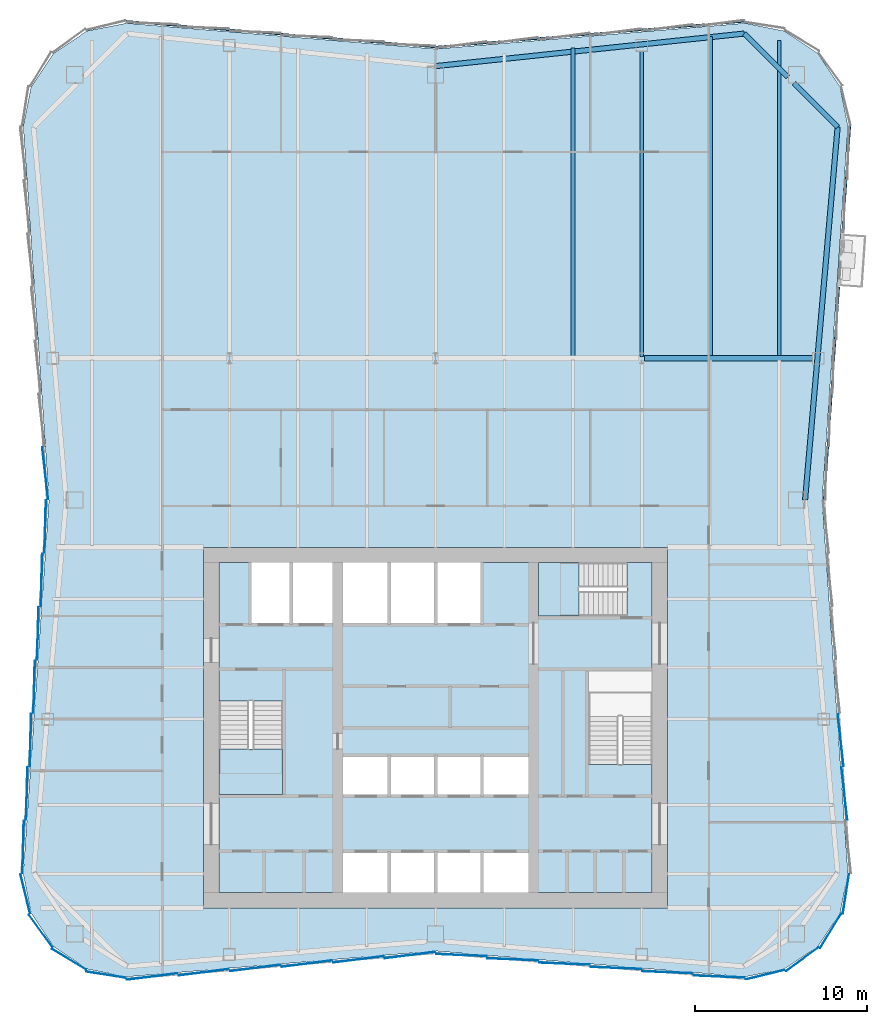
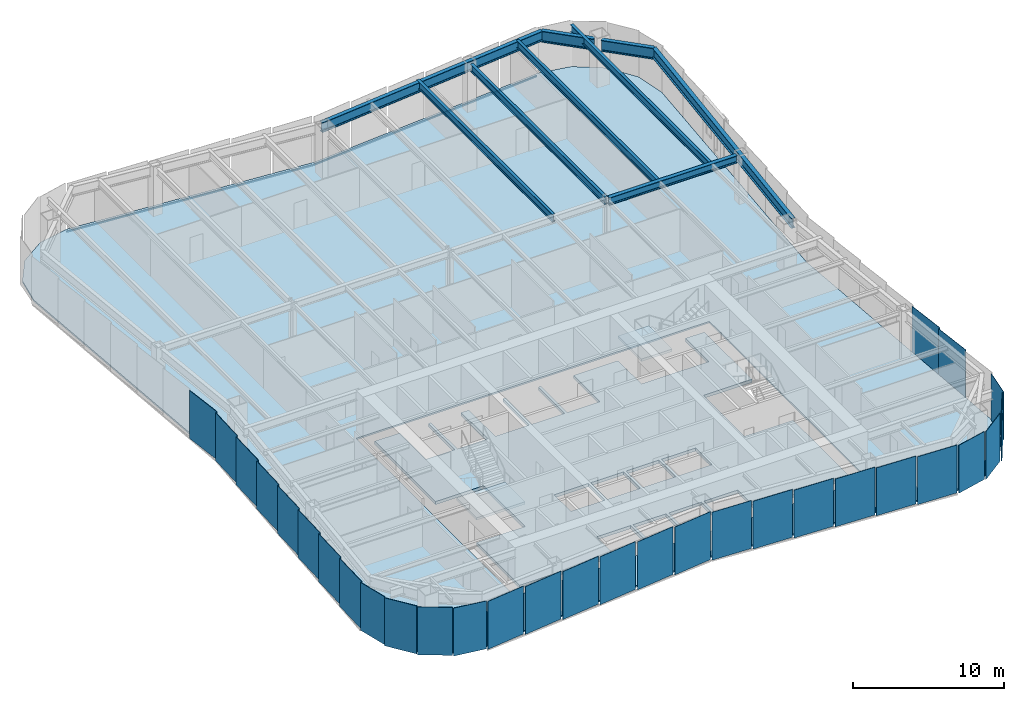
# One storey, part 3 of 10: 30 plates, 9 beams, 4 members, 4 slabs, 8 elements without a shape of their own.
"""IFC4 building model written with IfcOpenShell, lengths in metres."""

from ifc_helpers import new_model, si_unit, direction, frame, origin, origin_2d, place, context, subcontext, project, spatial, polyline, rectangle, i_section, outline, extrude, material, layer, layer_set, material_profile, profile_set, type_object, element, aggregate, save


model = new_model("IFC4")

# Units and contexts
model_context = context("Model", 3, precision=1e-05, world=origin(), true_north=direction((0.0, 1.0)))
body_context = subcontext(model_context, "Body", "Model", "MODEL_VIEW")
ifc_project = project(units=[si_unit("LENGTHUNIT", "METRE"), si_unit("AREAUNIT", "SQUARE_METRE"), si_unit("VOLUMEUNIT", "CUBIC_METRE"), si_unit("PLANEANGLEUNIT", "RADIAN"), si_unit("MASSUNIT", "GRAM", prefix="KILO")], contexts=[model_context])

# Site, building, storey
site_placement = place(None, origin())
site = spatial("IfcSite", under=ifc_project, at=site_placement, CompositionType="ELEMENT")
building_placement = place(site_placement, origin())
building = spatial("IfcBuilding", under=site, at=building_placement, Name="Verdant Reach Tower", CompositionType="ELEMENT")
storey_placement = place(building_placement, frame((0.0, 0.0, 198.0)))
storey = spatial("IfcBuildingStorey", under=building, at=storey_placement, Name="L45", CompositionType="ELEMENT", Elevation=198.0)

# Curtain wall, members
ifc_material_1 = material(Name="Anodised aluminium", Category="aluminium")
curtain_wall_type = type_object("IfcCurtainWallType", Name="EN-CW SYSTEM Z3", PredefinedType="NOTDEFINED", material=ifc_material_1)
curtain_wall_1_placement = place(storey_placement, origin())
curtain_wall_1 = element("IfcCurtainWall", 1, at=curtain_wall_1_placement, inside=storey, type_object=curtain_wall_type, Name="Curtain wall east, L45", PredefinedType="NOTDEFINED")
ifc_material_profile_1 = material_profile(ifc_material_1, rectangle(XDim=0.10009765625, YDim=0.1259765625, at=origin_2d()), Name="Transom 126x100")
ifc_profile_set_1 = profile_set([ifc_material_profile_1], Name="Anodised aluminium")
member_type = type_object("IfcMemberType", Name="EN-TRANSOM Z3", PredefinedType="USERDEFINED", material=ifc_profile_set_1)
member_1_placement = place(storey_placement, frame((22.611328125, 41.282958984375, -0.287109375), z_axis=(0.068819005353, 0.997629161814, 0.0), x_axis=(-0.997629161814, 0.068819005353, 0.0)))
member_1 = element("IfcMember", 2, at=member_1_placement, type_object=member_type, Name="Transom east face part 2 1.1, L45", ObjectType="TRANSOM", PredefinedType="USERDEFINED", context=body_context, shape_type="SweptSolid", body=[
    extrude(rectangle(XDim=0.10009765625, YDim=0.1259765625, at=origin_2d()), origin(), (0.0, 0.0, 1.0), 12.384521484375),
])
member_2_placement = place(storey_placement, frame((23.682373046875, 56.81103515625, -0.287109375), z_axis=(0.068646115672, 0.997641073134, 0.0), x_axis=(-0.997641073134, 0.068646115672, 0.0)))
member_2 = element("IfcMember", 3, at=member_2_placement, type_object=member_type, Name="Transom east face part 2 2.1, L45", ObjectType="TRANSOM", PredefinedType="USERDEFINED", context=body_context, shape_type="SweptSolid", body=[
    extrude(rectangle(XDim=0.10009765625, YDim=0.1259765625, at=origin_2d()), origin(), (0.0, 0.0, 1.0), 6.177734375),
])

curtain_wall_2_placement = place(storey_placement, origin())
curtain_wall_2 = element("IfcCurtainWall", 4, at=curtain_wall_2_placement, inside=storey, type_object=curtain_wall_type, Name="Curtain wall north, L45", PredefinedType="NOTDEFINED")
member_3_placement = place(storey_placement, frame((17.973388671875, 69.106201171875, -0.287109375), z_axis=(-0.996548750467, -0.083009565369, 0.0), x_axis=(0.083009565369, -0.996548750467, 0.0)))
member_3 = element("IfcMember", 5, at=member_3_placement, type_object=member_type, Name="Transom north face part 1 1.1, L45", ObjectType="TRANSOM", PredefinedType="USERDEFINED", context=body_context, shape_type="SweptSolid", body=[
    extrude(rectangle(XDim=0.10009765625, YDim=0.1259765625, at=origin_2d()), origin(), (0.0, 0.0, 1.0), 18.00244140625),
])
member_4_placement = place(storey_placement, frame((-0.032958984375, 67.61181640625, -0.287109375), z_axis=(-0.996548750467, 0.083009565369, 0.0), x_axis=(-0.083009565369, -0.996548750467, 0.0)))
member_4 = element("IfcMember", 6, at=member_4_placement, type_object=member_type, Name="Transom north face part 2 1.1, L45", ObjectType="TRANSOM", PredefinedType="USERDEFINED", context=body_context, shape_type="SweptSolid", body=[
    extrude(rectangle(XDim=0.10009765625, YDim=0.1259765625, at=origin_2d()), origin(), (0.0, 0.0, 1.0), 18.00244140625),
])
aggregate(curtain_wall_2, [member_3, member_4])

# Beams
ifc_material_2 = material(Name="Steel S355", Category="steel")
ifc_material_profile_2 = material_profile(ifc_material_2, i_section(OverallWidth=0.300048828125, OverallDepth=0.60009765625, WebThickness=0.015380859375, FlangeThickness=0.030029296875, FilletRadius=0.027099609375, at=origin_2d()), Name="HEB 600")
ifc_profile_set_2 = profile_set([ifc_material_profile_2], Name="Steel S355")
beam_type_1 = type_object("IfcBeamType", Name="ST-BEAM-HEB600", PredefinedType="BEAM", material=ifc_profile_set_2)
beam_1_placement = place(storey_placement, frame((12.152587890625, 49.5, 3.570068359375), z_axis=(1.0, 0.0, 0.0), x_axis=(0.0, 1.0, 0.0)))
element("IfcBeam", 7, at=beam_1_placement, inside=storey, type_object=beam_type_1, Name="Row girder, L45", PredefinedType="BEAM", context=body_context, shape_type="SweptSolid", body=[
    extrude(i_section(OverallWidth=0.300048828125, OverallDepth=0.60009765625, WebThickness=0.015380859375, FlangeThickness=0.030029296875, FilletRadius=0.027099609375, at=origin_2d()), origin(), (0.0, 0.0, 1.0), 9.766357421875),
])
ifc_material_profile_3 = material_profile(ifc_material_2, i_section(OverallWidth=0.219970703125, OverallDepth=0.60009765625, WebThickness=0.011962890625, FlangeThickness=0.01904296875, FilletRadius=0.02392578125, at=origin_2d()), Name="IPE 600")
ifc_profile_set_3 = profile_set([ifc_material_profile_3], Name="Steel S355")
beam_type_2 = type_object("IfcBeamType", Name="ST-JOIST-IPE600", PredefinedType="JOIST", material=ifc_profile_set_3)
beam_2_placement = place(storey_placement, frame((8.0, 49.60009765625, 3.570068359375), z_axis=(0.0, 1.0, 0.0), x_axis=(-1.0, 0.0, 0.0)))
element("IfcBeam", 8, at=beam_2_placement, inside=storey, type_object=beam_type_2, Name="Floor joist, L45", PredefinedType="JOIST", context=body_context, shape_type="SweptSolid", body=[
    extrude(i_section(OverallWidth=0.219970703125, OverallDepth=0.60009765625, WebThickness=0.011962890625, FlangeThickness=0.01904296875, FilletRadius=0.02392578125, at=origin_2d()), origin(), (0.0, 0.0, 1.0), 17.964599609375),
])
beam_3_placement = place(storey_placement, frame((12.0, 49.60009765625, 3.570068359375), z_axis=(0.0, 1.0, 0.0), x_axis=(-1.0, 0.0, 0.0)))
element("IfcBeam", 9, at=beam_3_placement, inside=storey, type_object=beam_type_2, Name="Floor joist, L45", PredefinedType="JOIST", context=body_context, shape_type="SweptSolid", body=[
    extrude(i_section(OverallWidth=0.219970703125, OverallDepth=0.60009765625, WebThickness=0.011962890625, FlangeThickness=0.01904296875, FilletRadius=0.02392578125, at=origin_2d()), origin(), (0.0, 0.0, 1.0), 17.75),
])
beam_4_placement = place(storey_placement, frame((16.0, 49.60009765625, 3.570068359375), z_axis=(0.0, 1.0, 0.0), x_axis=(-1.0, 0.0, 0.0)))
element("IfcBeam", 10, at=beam_4_placement, inside=storey, type_object=beam_type_2, Name="Floor joist, L45", PredefinedType="JOIST", context=body_context, shape_type="SweptSolid", body=[
    extrude(i_section(OverallWidth=0.219970703125, OverallDepth=0.60009765625, WebThickness=0.011962890625, FlangeThickness=0.01904296875, FilletRadius=0.02392578125, at=origin_2d()), origin(), (0.0, 0.0, 1.0), 18.631103515625),
])
beam_5_placement = place(storey_placement, frame((20.0, 49.60009765625, 3.570068359375), z_axis=(0.0, 1.0, 0.0), x_axis=(-1.0, 0.0, 0.0)))
element("IfcBeam", 11, at=beam_5_placement, inside=storey, type_object=beam_type_2, Name="Floor joist, L45", PredefinedType="JOIST", context=body_context, shape_type="SweptSolid", body=[
    extrude(i_section(OverallWidth=0.219970703125, OverallDepth=0.60009765625, WebThickness=0.011962890625, FlangeThickness=0.01904296875, FilletRadius=0.02392578125, at=origin_2d()), origin(), (0.0, 0.0, 1.0), 18.390380859375),
])
ifc_material_profile_4 = material_profile(ifc_material_2, i_section(OverallWidth=0.300048828125, OverallDepth=0.800048828125, WebThickness=0.017578125, FlangeThickness=0.032958984375, FilletRadius=0.030029296875, at=origin_2d()), Name="HEB 800")
ifc_profile_set_4 = profile_set([ifc_material_profile_4], Name="Steel S355")
beam_type_3 = type_object("IfcBeamType", Name="ST-SPANDREL-HEB800", PredefinedType="SPANDREL", material=ifc_profile_set_4)
beam_6_placement = place(storey_placement, frame((0.0, 66.5, 3.469970703125), z_axis=(0.994483067002, 0.104897232783, 0.0), x_axis=(-0.104897232783, 0.994483067002, 0.0)))
element("IfcBeam", 12, at=beam_6_placement, inside=storey, type_object=beam_type_3, Name="Edge beam, L45", PredefinedType="SPANDREL", context=body_context, shape_type="SweptSolid", body=[
    extrude(i_section(OverallWidth=0.300048828125, OverallDepth=0.800048828125, WebThickness=0.017578125, FlangeThickness=0.032958984375, FilletRadius=0.030029296875, at=origin_2d()), origin(), (0.0, 0.0, 1.0), 18.0654296875),
])
beam_7_placement = place(storey_placement, frame((23.39599609375, 62.96142578125, 3.469970703125), z_axis=(-0.086996024331, -0.996208658741, 0.0), x_axis=(0.996208658741, -0.086996024331, 0.0)))
element("IfcBeam", 13, at=beam_7_placement, inside=storey, type_object=beam_type_3, Name="Edge beam, L45", PredefinedType="SPANDREL", context=body_context, shape_type="SweptSolid", body=[
    extrude(i_section(OverallWidth=0.300048828125, OverallDepth=0.800048828125, WebThickness=0.017578125, FlangeThickness=0.032958984375, FilletRadius=0.030029296875, at=origin_2d()), origin(), (0.0, 0.0, 1.0), 21.7939453125),
])
ifc_material_profile_5 = material_profile(ifc_material_2, i_section(OverallWidth=0.302001953125, OverallDepth=0.909912109375, WebThickness=0.02099609375, FlangeThickness=0.0400390625, FilletRadius=0.030029296875, at=origin_2d()), Name="HEM 900")
ifc_profile_set_5 = profile_set([ifc_material_profile_5], Name="Steel S355")
beam_type_4 = type_object("IfcBeamType", Name="ST-SPANDREL-HEM900", PredefinedType="SPANDREL", material=ifc_profile_set_5)
beam_8_placement = place(storey_placement, frame((17.9658203125, 68.39501953125, 3.4150390625), z_axis=(0.706868394255, -0.707345087777, 0.0), x_axis=(0.707345087777, 0.706868394255, 0.0)))
element("IfcBeam", 14, at=beam_8_placement, inside=storey, type_object=beam_type_4, Name="Edge beam, L45", PredefinedType="SPANDREL", context=body_context, shape_type="SweptSolid", body=[
    extrude(i_section(OverallWidth=0.302001953125, OverallDepth=0.909912109375, WebThickness=0.02099609375, FlangeThickness=0.0400390625, FilletRadius=0.030029296875, at=origin_2d()), origin(), (0.0, 0.0, 1.0), 3.5849609375),
])
beam_9_placement = place(storey_placement, frame((20.85888671875, 65.5, 3.4150390625), z_axis=(0.706902680526, -0.707310822952, 0.0), x_axis=(0.707310822952, 0.706902680526, 0.0)))
element("IfcBeam", 15, at=beam_9_placement, inside=storey, type_object=beam_type_4, Name="Edge beam, L45", PredefinedType="SPANDREL", context=body_context, shape_type="SweptSolid", body=[
    extrude(i_section(OverallWidth=0.302001953125, OverallDepth=0.909912109375, WebThickness=0.02099609375, FlangeThickness=0.0400390625, FilletRadius=0.030029296875, at=origin_2d()), origin(), (0.0, 0.0, 1.0), 3.589111328125),
])

# Stair, slab
ifc_material_3 = material(Name="Concrete C40/50", Category="concrete")
stair_type = type_object("IfcStairType", Name="CO-STAIR", PredefinedType="HALF_TURN_STAIR", material=ifc_material_3)
stair_1_placement = place(storey_placement, origin())
stair_1 = element("IfcStair", 16, at=stair_1_placement, inside=storey, type_object=stair_type, Name="L45 Exit stair 1", PredefinedType="HALF_TURN_STAIR")
ifc_layer_1 = layer(ifc_material_3, 0.199951171875)
ifc_layer_set_1 = layer_set([ifc_layer_1], Name="CO-STAIR-LANDING")
slab_type_1 = type_object("IfcSlabType", Name="CO-STAIR-LANDING", PredefinedType="LANDING", material=ifc_layer_set_1)
slab_1_placement = place(storey_placement, frame((0.0, 0.0, 1.800048828125)))
slab_1 = element("IfcSlab", 17, at=slab_1_placement, type_object=slab_type_1, Name="ST-1 landing 1", PredefinedType="LANDING", context=body_context, shape_type="SweptSolid", body=[
    extrude(outline(polyline([(-12.60009765625, 26.75), (-12.60009765625, 24.10009765625), (-8.89990234375, 24.10009765625), (-8.89990234375, 26.75), (-12.60009765625, 26.75)])), origin(), (0.0, 0.0, 1.0), 0.199951171875),
])
aggregate(stair_1, [slab_1])

stair_2_placement = place(storey_placement, origin())
stair_2 = element("IfcStair", 18, at=stair_2_placement, inside=storey, type_object=stair_type, Name="L45 Exit stair 3", PredefinedType="HALF_TURN_STAIR")
slab_2_placement = place(storey_placement, frame((0.0, 0.0, 1.800048828125)))
slab_2 = element("IfcSlab", 19, at=slab_2_placement, type_object=slab_type_1, Name="ST-3 landing 1", PredefinedType="LANDING", context=body_context, shape_type="SweptSolid", body=[
    extrude(outline(polyline([(8.35009765625, 37.60009765625), (6.0, 37.60009765625), (6.0, 34.5), (8.35009765625, 34.5), (8.35009765625, 37.60009765625)])), origin(), (0.0, 0.0, 1.0), 0.199951171875),
])
aggregate(stair_2, [slab_2])

# Curtain wall, plates
curtain_wall_3_placement = place(storey_placement, origin())
curtain_wall_3 = element("IfcCurtainWall", 20, at=curtain_wall_3_placement, inside=storey, type_object=curtain_wall_type, Name="Curtain wall south-east corner, L45", PredefinedType="NOTDEFINED")
ifc_material_4 = material(Name="Tinted glass with champagne spandrel", Category="glass")
ifc_layer_2 = layer(ifc_material_4, 0.031982421875)
ifc_layer_set_2 = layer_set([ifc_layer_2], Name="EN-PANEL CHAMPAGNE")
plate_type_1 = type_object("IfcPlateType", Name="EN-PANEL CHAMPAGNE", PredefinedType="CURTAIN_PANEL", material=ifc_layer_set_2)
plate_1_placement = place(storey_placement, frame((19.171875, 13.62353515625, -0.22412109375), z_axis=(0.0, 0.0, 1.0), x_axis=(0.971655117833, 0.236402901821, 0.0)))
plate_1 = element("IfcPlate", 21, at=plate_1_placement, type_object=plate_type_1, Name="Glass panel south-east corner 1.1, L45", PredefinedType="CURTAIN_PANEL", context=body_context, shape_type="SweptSolid", body=[
    extrude(rectangle(XDim=2.3154296875, YDim=0.031982421875, at=origin_2d()), origin(), (0.0, 0.0, 1.0), 3.8740234375),
])
plate_2_placement = place(storey_placement, frame((21.328857421875, 14.51806640625, -0.22412109375), z_axis=(0.0, 0.0, 1.0), x_axis=(0.807456768214, 0.589926747542, 0.0)))
plate_2 = element("IfcPlate", 22, at=plate_2_placement, type_object=plate_type_1, Name="Glass panel south-east corner 2.1, L45", PredefinedType="CURTAIN_PANEL", context=body_context, shape_type="SweptSolid", body=[
    extrude(rectangle(XDim=2.321533203125, YDim=0.031982421875, at=origin_2d()), origin(), (0.0, 0.0, 1.0), 3.8740234375),
])

curtain_wall_4_placement = place(storey_placement, origin())
curtain_wall_4 = element("IfcCurtainWall", 23, at=curtain_wall_4_placement, inside=storey, type_object=curtain_wall_type, Name="Curtain wall west, L45", PredefinedType="NOTDEFINED")
plate_3_placement = place(storey_placement, frame((-23.358642578125, 30.382568359375, -0.22412109375), z_axis=(0.0, 0.0, 1.0), x_axis=(-0.026965318308, -0.999636369691, 0.0)))
plate_3 = element("IfcPlate", 24, at=plate_3_placement, type_object=plate_type_1, Name="Glass panel west face part 2 4.1, L45", PredefinedType="CURTAIN_PANEL", context=body_context, shape_type="SweptSolid", body=[
    extrude(rectangle(XDim=3.052490234375, YDim=0.031982421875, at=origin_2d()), origin(), (0.0, 0.0, 1.0), 3.8740234375),
])
plate_4_placement = place(storey_placement, frame((-23.572998046875, 27.275390625, -0.22412109375), z_axis=(0.0, 0.0, 1.0), x_axis=(-0.026965318308, -0.999636369691, 0.0)))
plate_4 = element("IfcPlate", 25, at=plate_4_placement, type_object=plate_type_1, Name="Glass panel west face part 2 5.1, L45", PredefinedType="CURTAIN_PANEL", context=body_context, shape_type="SweptSolid", body=[
    extrude(rectangle(XDim=3.052490234375, YDim=0.031982421875, at=origin_2d()), origin(), (0.0, 0.0, 1.0), 3.8740234375),
])

curtain_wall_5_placement = place(storey_placement, origin())
curtain_wall_5 = element("IfcCurtainWall", 26, at=curtain_wall_5_placement, inside=storey, type_object=curtain_wall_type, Name="Curtain wall south-west corner, L45", PredefinedType="NOTDEFINED")
plate_5_placement = place(storey_placement, frame((-22.98193359375, 16.171142578125, -0.22412109375), z_axis=(0.0, 0.0, 1.0), x_axis=(0.589926747542, -0.807456768214, 0.0)))
plate_5 = element("IfcPlate", 27, at=plate_5_placement, type_object=plate_type_1, Name="Glass panel south-west corner 2.1, L45", PredefinedType="CURTAIN_PANEL", context=body_context, shape_type="SweptSolid", body=[
    extrude(rectangle(XDim=2.321533203125, YDim=0.031982421875, at=origin_2d()), origin(), (0.0, 0.0, 1.0), 3.8740234375),
])
plate_6_placement = place(storey_placement, frame((-21.328857421875, 14.51806640625, -0.22412109375), z_axis=(0.0, 0.0, 1.0), x_axis=(0.853988701636, -0.520291550457, 0.0)))
plate_6 = element("IfcPlate", 28, at=plate_6_placement, type_object=plate_type_1, Name="Glass panel south-west corner 3.1, L45", PredefinedType="CURTAIN_PANEL", context=body_context, shape_type="SweptSolid", body=[
    extrude(rectangle(XDim=2.321533203125, YDim=0.031982421875, at=origin_2d()), origin(), (0.0, 0.0, 1.0), 3.8740234375),
])
plate_7_placement = place(storey_placement, frame((-19.171875, 13.62353515625, -0.22412109375), z_axis=(0.0, 0.0, 1.0), x_axis=(0.988029071555, -0.154267798848, 0.0)))
plate_7 = element("IfcPlate", 29, at=plate_7_placement, type_object=plate_type_1, Name="Glass panel south-west corner 4.1, L45", PredefinedType="CURTAIN_PANEL", context=body_context, shape_type="SweptSolid", body=[
    extrude(rectangle(XDim=2.3154296875, YDim=0.031982421875, at=origin_2d()), origin(), (0.0, 0.0, 1.0), 3.8740234375),
])

curtain_wall_6_placement = place(storey_placement, origin())
curtain_wall_6 = element("IfcCurtainWall", 30, at=curtain_wall_6_placement, inside=storey, type_object=curtain_wall_type, Name="Curtain wall south, L45", PredefinedType="NOTDEFINED")
plate_8_placement = place(storey_placement, frame((-16.49853515625, 13.516357421875, -0.22412109375), z_axis=(0.0, 0.0, 1.0), x_axis=(0.992237766434, 0.124355196363, 0.0)))
plate_8 = element("IfcPlate", 31, at=plate_8_placement, type_object=plate_type_1, Name="Glass panel south face part 1 1.1, L45", PredefinedType="CURTAIN_PANEL", context=body_context, shape_type="SweptSolid", body=[
    extrude(rectangle(XDim=2.963623046875, YDim=0.031982421875, at=origin_2d()), origin(), (0.0, 0.0, 1.0), 3.8740234375),
])
plate_9_placement = place(storey_placement, frame((-13.490966796875, 13.766357421875, -0.22412109375), z_axis=(0.0, 0.0, 1.0), x_axis=(0.992194034542, 0.124703639961, 0.0)))
plate_9 = element("IfcPlate", 32, at=plate_9_placement, type_object=plate_type_1, Name="Glass panel south face part 1 2.1, L45", PredefinedType="CURTAIN_PANEL", context=body_context, shape_type="SweptSolid", body=[
    extrude(rectangle(XDim=2.948486328125, YDim=0.031982421875, at=origin_2d()), origin(), (0.0, 0.0, 1.0), 3.8740234375),
])
plate_10_placement = place(storey_placement, frame((4.490966796875, 14.516357421875, -0.22412109375), z_axis=(0.0, 0.0, 1.0), x_axis=(0.999149202059, -0.041241629766, 0.0)))
plate_10 = element("IfcPlate", 33, at=plate_10_placement, type_object=plate_type_1, Name="Glass panel south face part 2 2.1, L45", PredefinedType="CURTAIN_PANEL", context=body_context, shape_type="SweptSolid", body=[
    extrude(rectangle(XDim=2.948486328125, YDim=0.031982421875, at=origin_2d()), origin(), (0.0, 0.0, 1.0), 3.8740234375),
])
plate_11_placement = place(storey_placement, frame((7.490966796875, 14.266357421875, -0.22412109375), z_axis=(0.0, 0.0, 1.0), x_axis=(0.999149202059, -0.041241629766, 0.0)))
plate_11 = element("IfcPlate", 34, at=plate_11_placement, type_object=plate_type_1, Name="Glass panel south face part 2 3.1, L45", PredefinedType="CURTAIN_PANEL", context=body_context, shape_type="SweptSolid", body=[
    extrude(rectangle(XDim=2.948486328125, YDim=0.031982421875, at=origin_2d()), origin(), (0.0, 0.0, 1.0), 3.8740234375),
])

# Plate
ifc_material_5 = material(Name="Tinted glass with copper spandrel", Category="glass")
ifc_layer_3 = layer(ifc_material_5, 0.031982421875)
ifc_layer_set_3 = layer_set([ifc_layer_3], Name="EN-PANEL COPPER")
plate_type_2 = type_object("IfcPlateType", Name="EN-PANEL COPPER", PredefinedType="CURTAIN_PANEL", material=ifc_layer_set_3)
plate_12_placement = place(storey_placement, frame((22.98193359375, 16.171142578125, -0.22412109375), z_axis=(0.0, 0.0, 1.0), x_axis=(0.520291550457, 0.853988701636, 0.0)))
plate_12 = element("IfcPlate", 35, at=plate_12_placement, type_object=plate_type_2, Name="Glass panel south-east corner 3.1, L45", PredefinedType="CURTAIN_PANEL", context=body_context, shape_type="SweptSolid", body=[
    extrude(rectangle(XDim=2.321533203125, YDim=0.031982421875, at=origin_2d()), origin(), (0.0, 0.0, 1.0), 3.8740234375),
])

plate_13_placement = place(storey_placement, frame((23.87646484375, 18.32763671875, -0.22412109375), z_axis=(0.0, 0.0, 1.0), x_axis=(0.154311870796, 0.988022189291, 0.0)))
plate_13 = element("IfcPlate", 36, at=plate_13_placement, type_object=plate_type_2, Name="Glass panel south-east corner 4.1, L45", PredefinedType="CURTAIN_PANEL", context=body_context, shape_type="SweptSolid", body=[
    extrude(rectangle(XDim=2.314697265625, YDim=0.031982421875, at=origin_2d()), origin(), (0.0, 0.0, 1.0), 3.8740234375),
])

aggregate(curtain_wall_3, [plate_1, plate_2, plate_12, plate_13])

plate_14_placement = place(storey_placement, frame((23.787353515625, 24.168212890625, -0.22412109375), z_axis=(0.0, 0.0, 1.0), x_axis=(-0.110518162674, 0.993874104562, 0.0)))
plate_14 = element("IfcPlate", 37, at=plate_14_placement, type_object=plate_type_2, Name="Glass panel east face part 1 2.1, L45", PredefinedType="CURTAIN_PANEL", context=body_context, shape_type="SweptSolid", body=[
    extrude(rectangle(XDim=3.052490234375, YDim=0.031982421875, at=origin_2d()), origin(), (0.0, 0.0, 1.0), 3.8740234375),
])

plate_15_placement = place(storey_placement, frame((-23.787353515625, 24.168212890625, -0.22412109375), z_axis=(0.0, 0.0, 1.0), x_axis=(-0.026965318308, -0.999636369691, 0.0)))
plate_15 = element("IfcPlate", 38, at=plate_15_placement, type_object=plate_type_2, Name="Glass panel west face part 2 6.1, L45", PredefinedType="CURTAIN_PANEL", context=body_context, shape_type="SweptSolid", body=[
    extrude(rectangle(XDim=3.052490234375, YDim=0.031982421875, at=origin_2d()), origin(), (0.0, 0.0, 1.0), 3.8740234375),
])

plate_16_placement = place(storey_placement, frame((-24.001708984375, 21.053955078125, -0.22412109375), z_axis=(0.0, 0.0, 1.0), x_axis=(-0.026659626966, -0.999644568979, 0.0)))
plate_16 = element("IfcPlate", 39, at=plate_16_placement, type_object=plate_type_2, Name="Glass panel west face part 2 7.1, L45", PredefinedType="CURTAIN_PANEL", context=body_context, shape_type="SweptSolid", body=[
    extrude(rectangle(XDim=3.06689453125, YDim=0.031982421875, at=origin_2d()), origin(), (0.0, 0.0, 1.0), 3.8740234375),
])

plate_17_placement = place(storey_placement, frame((-10.490966796875, 14.016357421875, -0.22412109375), z_axis=(0.0, 0.0, 1.0), x_axis=(0.992194034542, 0.124703639961, 0.0)))
plate_17 = element("IfcPlate", 40, at=plate_17_placement, type_object=plate_type_2, Name="Glass panel south face part 1 3.1, L45", PredefinedType="CURTAIN_PANEL", context=body_context, shape_type="SweptSolid", body=[
    extrude(rectangle(XDim=2.948486328125, YDim=0.031982421875, at=origin_2d()), origin(), (0.0, 0.0, 1.0), 3.8740234375),
])

plate_18_placement = place(storey_placement, frame((-7.490966796875, 14.266357421875, -0.22412109375), z_axis=(0.0, 0.0, 1.0), x_axis=(0.992194034542, 0.124703639961, 0.0)))
plate_18 = element("IfcPlate", 41, at=plate_18_placement, type_object=plate_type_2, Name="Glass panel south face part 1 4.1, L45", PredefinedType="CURTAIN_PANEL", context=body_context, shape_type="SweptSolid", body=[
    extrude(rectangle(XDim=2.948486328125, YDim=0.031982421875, at=origin_2d()), origin(), (0.0, 0.0, 1.0), 3.8740234375),
])

plate_19_placement = place(storey_placement, frame((10.490966796875, 14.016357421875, -0.22412109375), z_axis=(0.0, 0.0, 1.0), x_axis=(0.999149202059, -0.041241629766, 0.0)))
plate_19 = element("IfcPlate", 42, at=plate_19_placement, type_object=plate_type_2, Name="Glass panel south face part 2 4.1, L45", PredefinedType="CURTAIN_PANEL", context=body_context, shape_type="SweptSolid", body=[
    extrude(rectangle(XDim=2.948486328125, YDim=0.031982421875, at=origin_2d()), origin(), (0.0, 0.0, 1.0), 3.8740234375),
])

plate_20_placement = place(storey_placement, frame((13.490966796875, 13.766357421875, -0.22412109375), z_axis=(0.0, 0.0, 1.0), x_axis=(0.999149202059, -0.041241629766, 0.0)))
plate_20 = element("IfcPlate", 43, at=plate_20_placement, type_object=plate_type_2, Name="Glass panel south face part 2 5.1, L45", PredefinedType="CURTAIN_PANEL", context=body_context, shape_type="SweptSolid", body=[
    extrude(rectangle(XDim=2.948486328125, YDim=0.031982421875, at=origin_2d()), origin(), (0.0, 0.0, 1.0), 3.8740234375),
])

plate_21_placement = place(storey_placement, frame((16.49853515625, 13.516357421875, -0.22412109375), z_axis=(0.0, 0.0, 1.0), x_axis=(0.999163623568, -0.040890748818, 0.0)))
plate_21 = element("IfcPlate", 44, at=plate_21_placement, type_object=plate_type_2, Name="Glass panel south face part 2 6.1, L45", PredefinedType="CURTAIN_PANEL", context=body_context, shape_type="SweptSolid", body=[
    extrude(rectangle(XDim=2.963623046875, YDim=0.031982421875, at=origin_2d()), origin(), (0.0, 0.0, 1.0), 3.8740234375),
])

ifc_material_6 = material(Name="Tinted glass with dark bronze spandrel", Category="glass")
ifc_layer_4 = layer(ifc_material_6, 0.031982421875)
ifc_layer_set_4 = layer_set([ifc_layer_4], Name="EN-PANEL DARK")
plate_type_3 = type_object("IfcPlateType", Name="EN-PANEL DARK", PredefinedType="CURTAIN_PANEL", material=ifc_layer_set_4)
plate_22_placement = place(storey_placement, frame((23.572998046875, 27.275390625, -0.22412109375), z_axis=(0.0, 0.0, 1.0), x_axis=(-0.110518162674, 0.993874104562, 0.0)))
plate_22 = element("IfcPlate", 45, at=plate_22_placement, type_object=plate_type_3, Name="Glass panel east face part 1 3.1, L45", PredefinedType="CURTAIN_PANEL", context=body_context, shape_type="SweptSolid", body=[
    extrude(rectangle(XDim=3.052490234375, YDim=0.031982421875, at=origin_2d()), origin(), (0.0, 0.0, 1.0), 3.8740234375),
])

aggregate(curtain_wall_1, [plate_14, plate_22, member_1, member_2])

plate_23_placement = place(storey_placement, frame((-22.716064453125, 42.7998046875, -0.22412109375), z_axis=(0.0, 0.0, 1.0), x_axis=(0.110600785385, -0.993864913493, 0.0)))
plate_23 = element("IfcPlate", 46, at=plate_23_placement, type_object=plate_type_3, Name="Glass panel west face part 1 7.1, L45", PredefinedType="CURTAIN_PANEL", context=body_context, shape_type="SweptSolid", body=[
    extrude(rectangle(XDim=3.044921875, YDim=0.031982421875, at=origin_2d()), origin(), (0.0, 0.0, 1.0), 3.8740234375),
])

plate_24_placement = place(storey_placement, frame((-22.716064453125, 39.7001953125, -0.22412109375), z_axis=(0.0, 0.0, 1.0), x_axis=(-0.027048420339, -0.999634124546, 0.0)))
plate_24 = element("IfcPlate", 47, at=plate_24_placement, type_object=plate_type_3, Name="Glass panel west face part 2 1.1, L45", PredefinedType="CURTAIN_PANEL", context=body_context, shape_type="SweptSolid", body=[
    extrude(rectangle(XDim=3.044921875, YDim=0.031982421875, at=origin_2d()), origin(), (0.0, 0.0, 1.0), 3.8740234375),
])

plate_25_placement = place(storey_placement, frame((-22.93017578125, 36.5966796875, -0.22412109375), z_axis=(0.0, 0.0, 1.0), x_axis=(-0.026965318308, -0.999636369691, 0.0)))
plate_25 = element("IfcPlate", 48, at=plate_25_placement, type_object=plate_type_3, Name="Glass panel west face part 2 2.1, L45", PredefinedType="CURTAIN_PANEL", context=body_context, shape_type="SweptSolid", body=[
    extrude(rectangle(XDim=3.052490234375, YDim=0.031982421875, at=origin_2d()), origin(), (0.0, 0.0, 1.0), 3.8740234375),
])

plate_26_placement = place(storey_placement, frame((-23.14453125, 33.48974609375, -0.22412109375), z_axis=(0.0, 0.0, 1.0), x_axis=(-0.026965318308, -0.999636369691, 0.0)))
plate_26 = element("IfcPlate", 49, at=plate_26_placement, type_object=plate_type_3, Name="Glass panel west face part 2 3.1, L45", PredefinedType="CURTAIN_PANEL", context=body_context, shape_type="SweptSolid", body=[
    extrude(rectangle(XDim=3.052490234375, YDim=0.031982421875, at=origin_2d()), origin(), (0.0, 0.0, 1.0), 3.8740234375),
])

aggregate(curtain_wall_4, [plate_23, plate_24, plate_25, plate_26, plate_3, plate_4, plate_15, plate_16])

plate_27_placement = place(storey_placement, frame((-23.87646484375, 18.32763671875, -0.22412109375), z_axis=(0.0, 0.0, 1.0), x_axis=(0.23644624331, -0.97164457186, 0.0)))
plate_27 = element("IfcPlate", 50, at=plate_27_placement, type_object=plate_type_3, Name="Glass panel south-west corner 1.1, L45", PredefinedType="CURTAIN_PANEL", context=body_context, shape_type="SweptSolid", body=[
    extrude(rectangle(XDim=2.314697265625, YDim=0.031982421875, at=origin_2d()), origin(), (0.0, 0.0, 1.0), 3.8740234375),
])

aggregate(curtain_wall_5, [plate_27, plate_5, plate_6, plate_7])

plate_28_placement = place(storey_placement, frame((-4.490966796875, 14.516357421875, -0.22412109375), z_axis=(0.0, 0.0, 1.0), x_axis=(0.992194034542, 0.124703639961, 0.0)))
plate_28 = element("IfcPlate", 51, at=plate_28_placement, type_object=plate_type_3, Name="Glass panel south face part 1 5.1, L45", PredefinedType="CURTAIN_PANEL", context=body_context, shape_type="SweptSolid", body=[
    extrude(rectangle(XDim=2.948486328125, YDim=0.031982421875, at=origin_2d()), origin(), (0.0, 0.0, 1.0), 3.8740234375),
])

plate_29_placement = place(storey_placement, frame((-1.495361328125, 14.76611328125, -0.22412109375), z_axis=(0.0, 0.0, 1.0), x_axis=(0.992178382939, 0.124828107529, 0.0)))
plate_29 = element("IfcPlate", 52, at=plate_29_placement, type_object=plate_type_3, Name="Glass panel south face part 1 6.1, L45", PredefinedType="CURTAIN_PANEL", context=body_context, shape_type="SweptSolid", body=[
    extrude(rectangle(XDim=2.939453125, YDim=0.031982421875, at=origin_2d()), origin(), (0.0, 0.0, 1.0), 3.8740234375),
])

plate_30_placement = place(storey_placement, frame((1.495361328125, 14.76611328125, -0.22412109375), z_axis=(0.0, 0.0, 1.0), x_axis=(0.999144020525, -0.041366970501, 0.0)))
plate_30 = element("IfcPlate", 53, at=plate_30_placement, type_object=plate_type_3, Name="Glass panel south face part 2 1.1, L45", PredefinedType="CURTAIN_PANEL", context=body_context, shape_type="SweptSolid", body=[
    extrude(rectangle(XDim=2.939453125, YDim=0.031982421875, at=origin_2d()), origin(), (0.0, 0.0, 1.0), 3.8740234375),
])

aggregate(curtain_wall_6, [plate_8, plate_9, plate_17, plate_18, plate_28, plate_29, plate_30, plate_10, plate_11, plate_19, plate_20, plate_21])

# Slabs
ifc_material_7 = material(Name="Concrete C35/45", Category="concrete")
ifc_layer_5 = layer(ifc_material_7, 0.1298828125)
ifc_layer_set_5 = layer_set([ifc_layer_5], Name="ST-SLAB-130")
slab_type_2 = type_object("IfcSlabType", Name="ST-SLAB-130", PredefinedType="FLOOR", material=ifc_layer_set_5)
slab_3_placement = place(storey_placement, frame((0.0, 0.0, -0.1298828125)))
element("IfcSlab", 54, at=slab_3_placement, inside=storey, type_object=slab_type_2, Name="Floor slab L45", PredefinedType="FLOOR", context=body_context, shape_type="SweptSolid", body=[
    extrude(outline(polyline([(0.0, 15.0), (-18.0, 13.5), (-20.296142578125, 13.956787109375), (-22.24267578125, 15.25732421875), (-23.543212890625, 17.203857421875), (-24.0, 19.5), (-22.5, 41.25), (-24.0, 63.0), (-23.543212890625, 65.296142578125), (-22.24267578125, 67.24267578125), (-20.296142578125, 68.543212890625), (-18.0, 69.0), (0.0, 67.5), (18.0, 69.0), (20.296142578125, 68.543212890625), (22.24267578125, 67.24267578125), (23.543212890625, 65.296142578125), (24.0, 63.0), (22.5, 41.25), (24.0, 19.5), (23.543212890625, 17.203857421875), (22.24267578125, 15.25732421875), (20.296142578125, 13.956787109375), (18.0, 13.5), (0.0, 15.0)]), holes=[polyline([(13.5, 38.5), (-13.5, 38.5), (-13.5, 17.5), (13.5, 17.5), (13.5, 38.5)])]), origin(), (0.0, 0.0, 1.0), 0.1298828125),
])
ifc_layer_6 = layer(ifc_material_7, 0.25)
ifc_layer_set_6 = layer_set([ifc_layer_6], Name="ST-SLAB-250")
slab_type_3 = type_object("IfcSlabType", Name="ST-SLAB-250", PredefinedType="FLOOR", material=ifc_layer_set_6)
slab_4_placement = place(storey_placement, frame((0.0, 0.0, -0.25)))
element("IfcSlab", 55, at=slab_4_placement, inside=storey, type_object=slab_type_3, Name="Core floor slab L45", PredefinedType="FLOOR", context=body_context, shape_type="SweptSolid", body=[
    extrude(outline(polyline([(12.60009765625, 18.39990234375), (5.39990234375, 18.39990234375), (5.39990234375, 20.699951171875), (2.800048828125, 20.699951171875), (2.800048828125, 18.39990234375), (2.60009765625, 18.39990234375), (2.60009765625, 20.699951171875), (0.10009765625, 20.699951171875), (0.10009765625, 18.39990234375), (-0.10009765625, 18.39990234375), (-0.10009765625, 20.699951171875), (-2.60009765625, 20.699951171875), (-2.60009765625, 18.39990234375), (-2.800048828125, 18.39990234375), (-2.800048828125, 20.699951171875), (-5.39990234375, 20.699951171875), (-5.39990234375, 18.39990234375), (-12.60009765625, 18.39990234375), (-12.60009765625, 24.10009765625), (-8.89990234375, 24.10009765625), (-8.89990234375, 29.548095703125), (-12.60009765625, 29.548095703125), (-12.60009765625, 37.60009765625), (-10.699951171875, 37.60009765625), (-10.699951171875, 34.10009765625), (-8.5, 34.10009765625), (-8.5, 37.60009765625), (-8.300048828125, 37.60009765625), (-8.300048828125, 34.10009765625), (-6.0, 34.10009765625), (-6.0, 37.60009765625), (-5.39990234375, 37.60009765625), (-5.39990234375, 34.10009765625), (-2.800048828125, 34.10009765625), (-2.800048828125, 37.60009765625), (-2.60009765625, 37.60009765625), (-2.60009765625, 34.10009765625), (-0.10009765625, 34.10009765625), (-0.10009765625, 37.60009765625), (0.10009765625, 37.60009765625), (0.10009765625, 34.10009765625), (2.60009765625, 34.10009765625), (2.60009765625, 37.60009765625), (6.0, 37.60009765625), (6.0, 34.5), (11.14794921875, 34.5), (11.14794921875, 37.60009765625), (12.60009765625, 37.60009765625), (12.60009765625, 31.300048828125), (8.89990234375, 31.300048828125), (8.89990234375, 25.85205078125), (12.60009765625, 25.85205078125), (12.60009765625, 18.39990234375)]), holes=[polyline([(-2.800048828125, 24.10009765625), (-2.800048828125, 26.300048828125), (-5.39990234375, 26.300048828125), (-5.39990234375, 24.10009765625), (-2.800048828125, 24.10009765625)]), polyline([(-0.10009765625, 24.10009765625), (-0.10009765625, 26.300048828125), (-2.60009765625, 26.300048828125), (-2.60009765625, 24.10009765625), (-0.10009765625, 24.10009765625)]), polyline([(2.60009765625, 24.10009765625), (2.60009765625, 26.300048828125), (0.10009765625, 26.300048828125), (0.10009765625, 24.10009765625), (2.60009765625, 24.10009765625)]), polyline([(5.39990234375, 24.10009765625), (5.39990234375, 26.300048828125), (2.800048828125, 26.300048828125), (2.800048828125, 24.10009765625), (5.39990234375, 24.10009765625)])]), origin(), (0.0, 0.0, 1.0), 0.25),
])

save(model, "model.ifc")
